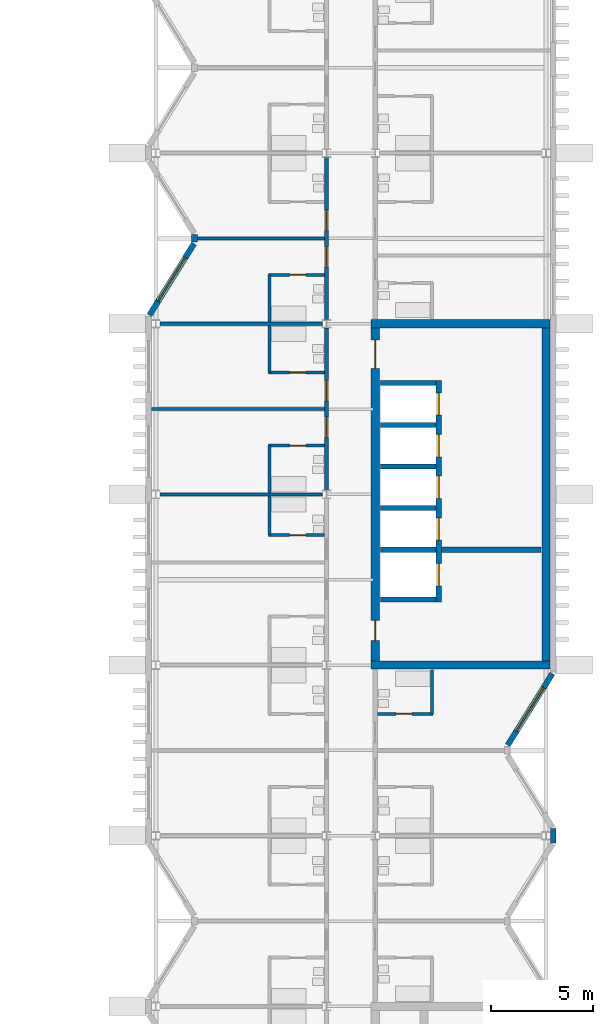
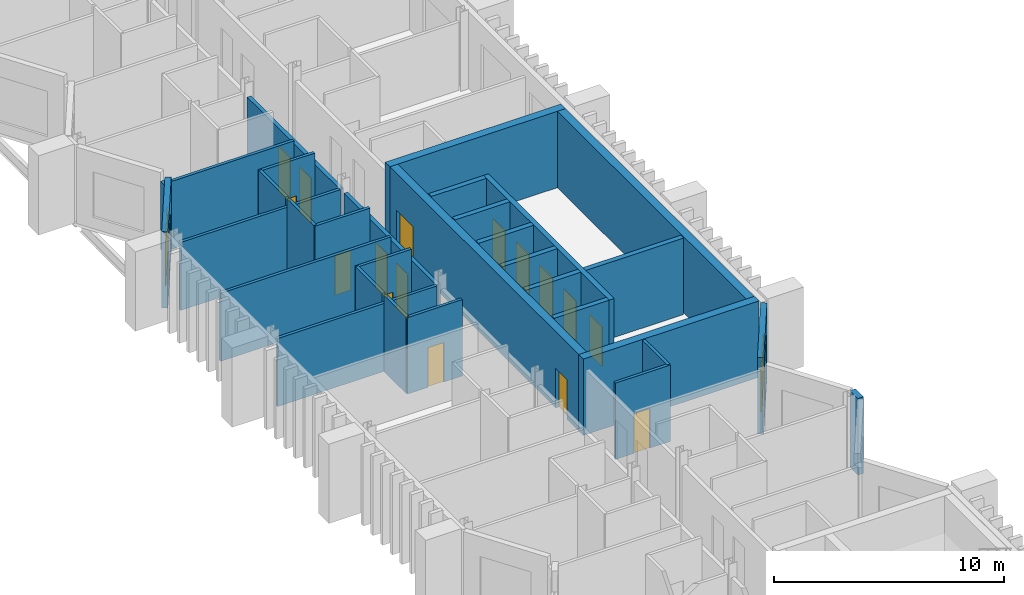
# One storey, part 14 of 20: 32 walls, 16 doors, 2 windows, 18 openings.
"""IFC4 building model written with IfcOpenShell, lengths in metres."""

from ifc_helpers import new_model, si_unit, direction, frame, frame_2d, origin, place, context, subcontext, project, spatial, rectangle, extrude, material, layer, layer_set, type_object, element, fill, save


model = new_model("IFC4")

# Units and contexts
model_context = context("Model", 3, precision=1e-05, world=origin(), true_north=direction((0.0, 1.0)))
body_context = subcontext(model_context, "Body", "Model", "MODEL_VIEW")
ifc_project = project(units=[si_unit("LENGTHUNIT", "METRE"), si_unit("AREAUNIT", "SQUARE_METRE"), si_unit("VOLUMEUNIT", "CUBIC_METRE"), si_unit("PLANEANGLEUNIT", "RADIAN"), si_unit("MASSUNIT", "GRAM", prefix="KILO")], contexts=[model_context])

# Site, building, storey
site_placement = place(None, origin())
site = spatial("IfcSite", under=ifc_project, at=site_placement, CompositionType="ELEMENT")
building_placement = place(site_placement, origin())
building = spatial("IfcBuilding", under=site, at=building_placement, Name="Cresset Court Congress Hotel", CompositionType="ELEMENT")
storey_placement = place(building_placement, frame((0.0, 0.0, 27.0)))
storey = spatial("IfcBuildingStorey", under=building, at=storey_placement, Name="L06", CompositionType="ELEMENT", Elevation=27.0)

# Wall, openings, doors
ifc_material_1 = material(Name="Gypsum board partition")
ifc_layer_1 = layer(ifc_material_1, 0.199951171875)
ifc_layer_set_1 = layer_set([ifc_layer_1], Name="Corridor wall 200")
wall_type_1 = type_object("IfcWallType", Name="Corridor wall 200", PredefinedType="PARTITIONING", material=ifc_layer_set_1)
wall_1_placement = place(storey_placement, frame((165.60009765625, 33.800048828125, 0.0), z_axis=(0.0, 0.0, 1.0), x_axis=(0.0, 1.0, 0.0)))
wall_1 = element("IfcWall", 1, at=wall_1_placement, inside=storey, type_object=wall_type_1, Name="A.wl.L06.074", PredefinedType="PARTITIONING", context=body_context, shape_type="SweptSolid", body=[
    extrude(rectangle(XDim=8.0, YDim=0.199951171875, at=frame_2d((4.0, 0.0))), origin(), (0.0, 0.0, 1.0), 3.449951171875),
])
opening_1_placement = place(wall_1_placement, frame((2.60009765625, 0.0, 0.0)))
opening_1 = element("IfcOpeningElement", 2, at=opening_1_placement, cuts=wall_1, Name="Opening DA-06-18", PredefinedType="OPENING", context=body_context, shape_type="SweptSolid", body=[
    extrude(rectangle(XDim=1.0, YDim=2.39990234375, at=frame_2d((0.5, 1.199951171875))), frame((0.0, 0.10986328125, 0.0), z_axis=(0.0, -1.0, 0.0), x_axis=(1.0, 0.0, 0.0)), (0.0, 0.0, 1.0), 0.219970703125),
])
opening_2_placement = place(wall_1_placement, frame((4.39990234375, 0.0, 0.0)))
opening_2 = element("IfcOpeningElement", 3, at=opening_2_placement, cuts=wall_1, Name="Opening DA-06-20", PredefinedType="OPENING", context=body_context, shape_type="SweptSolid", body=[
    extrude(rectangle(XDim=1.0, YDim=2.39990234375, at=frame_2d((0.5, 1.199951171875))), frame((0.0, 0.10986328125, 0.0), z_axis=(0.0, -1.0, 0.0), x_axis=(1.0, 0.0, 0.0)), (0.0, 0.0, 1.0), 0.219970703125),
])
ifc_material_2 = material(Name="timber", Category="wood")
door_type_1 = type_object("IfcDoorType", Name="Guest-room entry door 1000x2400 FD30S", OperationType="SINGLE_SWING_LEFT", PredefinedType="DOOR", material=ifc_material_2)
door_1_placement = place(opening_1_placement, origin())
door_1 = element("IfcDoor", 4, at=door_1_placement, inside=storey, type_object=door_type_1, Name="Door DA-06-18", OperationType="SINGLE_SWING_RIGHT", OverallHeight=2.39990234375, OverallWidth=1.0, PredefinedType="DOOR", context=body_context, shape_type="SweptSolid", body=[
    extrude(rectangle(XDim=1.0, YDim=2.39990234375, at=frame_2d((0.5, 1.199951171875))), frame((0.0, 0.02490234375, 0.0), z_axis=(0.0, -1.0, 0.0), x_axis=(1.0, 0.0, 0.0)), (0.0, 0.0, 1.0), 0.050048828125),
])
fill(opening_1, door_1)
door_2_placement = place(opening_2_placement, origin())
door_2 = element("IfcDoor", 5, at=door_2_placement, inside=storey, type_object=door_type_1, Name="Door DA-06-20", OperationType="SINGLE_SWING_LEFT", OverallHeight=2.39990234375, OverallWidth=1.0, PredefinedType="DOOR", context=body_context, shape_type="SweptSolid", body=[
    extrude(rectangle(XDim=1.0, YDim=2.39990234375, at=frame_2d((0.5, 1.199951171875))), frame((0.0, 0.02490234375, 0.0), z_axis=(0.0, -1.0, 0.0), x_axis=(1.0, 0.0, 0.0)), (0.0, 0.0, 1.0), 0.050048828125),
])
fill(opening_2, door_2)

wall_2_placement = place(storey_placement, frame((165.60009765625, 42.199951171875, 0.0), z_axis=(0.0, 0.0, 1.0), x_axis=(0.0, 1.0, 0.0)))
wall_2 = element("IfcWall", 6, at=wall_2_placement, inside=storey, type_object=wall_type_1, Name="A.wl.L06.075", PredefinedType="PARTITIONING", context=body_context, shape_type="SweptSolid", body=[
    extrude(rectangle(XDim=8.0, YDim=0.199951171875, at=frame_2d((4.0, 0.0))), origin(), (0.0, 0.0, 1.0), 3.449951171875),
])
opening_3_placement = place(wall_2_placement, frame((2.60009765625, 0.0, 0.0)))
opening_3 = element("IfcOpeningElement", 7, at=opening_3_placement, cuts=wall_2, Name="Opening DA-06-22", PredefinedType="OPENING", context=body_context, shape_type="SweptSolid", body=[
    extrude(rectangle(XDim=1.0, YDim=2.39990234375, at=frame_2d((0.5, 1.199951171875))), frame((0.0, 0.10986328125, 0.0), z_axis=(0.0, -1.0, 0.0), x_axis=(1.0, 0.0, 0.0)), (0.0, 0.0, 1.0), 0.219970703125),
])
opening_4_placement = place(wall_2_placement, frame((4.39990234375, 0.0, 0.0)))
opening_4 = element("IfcOpeningElement", 8, at=opening_4_placement, cuts=wall_2, Name="Opening DA-06-24", PredefinedType="OPENING", context=body_context, shape_type="SweptSolid", body=[
    extrude(rectangle(XDim=1.0, YDim=2.39990234375, at=frame_2d((0.5, 1.199951171875))), frame((0.0, 0.10986328125, 0.0), z_axis=(0.0, -1.0, 0.0), x_axis=(1.0, 0.0, 0.0)), (0.0, 0.0, 1.0), 0.219970703125),
])
door_3_placement = place(opening_3_placement, origin())
door_3 = element("IfcDoor", 9, at=door_3_placement, inside=storey, type_object=door_type_1, Name="Door DA-06-22", OperationType="SINGLE_SWING_RIGHT", OverallHeight=2.39990234375, OverallWidth=1.0, PredefinedType="DOOR", context=body_context, shape_type="SweptSolid", body=[
    extrude(rectangle(XDim=1.0, YDim=2.39990234375, at=frame_2d((0.5, 1.199951171875))), frame((0.0, 0.02490234375, 0.0), z_axis=(0.0, -1.0, 0.0), x_axis=(1.0, 0.0, 0.0)), (0.0, 0.0, 1.0), 0.050048828125),
])
fill(opening_3, door_3)
door_4_placement = place(opening_4_placement, origin())
door_4 = element("IfcDoor", 10, at=door_4_placement, inside=storey, type_object=door_type_1, Name="Door DA-06-24", OperationType="SINGLE_SWING_LEFT", OverallHeight=2.39990234375, OverallWidth=1.0, PredefinedType="DOOR", context=body_context, shape_type="SweptSolid", body=[
    extrude(rectangle(XDim=1.0, YDim=2.39990234375, at=frame_2d((0.5, 1.199951171875))), frame((0.0, 0.02490234375, 0.0), z_axis=(0.0, -1.0, 0.0), x_axis=(1.0, 0.0, 0.0)), (0.0, 0.0, 1.0), 0.050048828125),
])
fill(opening_4, door_4)

# Wall
ifc_material_3 = material(Name="Gypsum board partition")
ifc_layer_2 = layer(ifc_material_3, 0.14990234375)
ifc_layer_set_2 = layer_set([ifc_layer_2], Name="En-suite wall 150")
wall_type_2 = type_object("IfcWallType", Name="En-suite wall 150", PredefinedType="PARTITIONING", material=ifc_layer_set_2)
wall_3_placement = place(storey_placement, frame((162.800048828125, 31.60009765625, 0.0), z_axis=(0.0, 0.0, 1.0), x_axis=(0.0, 1.0, 0.0)))
element("IfcWall", 11, at=wall_3_placement, inside=storey, type_object=wall_type_2, Name="A.wl.L06.015", PredefinedType="PARTITIONING", context=body_context, shape_type="SweptSolid", body=[
    extrude(rectangle(XDim=1.9248046875, YDim=0.14990234375, at=frame_2d((0.96240234375, 0.0))), origin(), (0.0, 0.0, 1.0), 4.050048828125),
])

# Wall, opening, door
wall_4_placement = place(storey_placement, frame((162.75, 31.60009765625, 0.0), z_axis=(0.0, 0.0, 1.0), x_axis=(1.0, 0.0, 0.0)))
wall_4 = element("IfcWall", 12, at=wall_4_placement, inside=storey, type_object=wall_type_2, Name="A.wl.L06.016", PredefinedType="PARTITIONING", context=body_context, shape_type="SweptSolid", body=[
    extrude(rectangle(XDim=2.75, YDim=0.14990234375, at=frame_2d((1.375, 0.0))), origin(), (0.0, 0.0, 1.0), 4.050048828125),
])
opening_5_placement = place(wall_4_placement, frame((1.030029296875, 0.0, 0.0)))
opening_5 = element("IfcOpeningElement", 13, at=opening_5_placement, cuts=wall_4, Name="Opening DA-06-15", PredefinedType="OPENING", context=body_context, shape_type="SweptSolid", body=[
    extrude(rectangle(XDim=0.800048828125, YDim=2.10009765625, at=frame_2d((0.39990234375, 1.050048828125))), frame((0.0, 0.0849609375, 0.0), z_axis=(0.0, -1.0, 0.0), x_axis=(1.0, 0.0, 0.0)), (0.0, 0.0, 1.0), 0.169921875),
])
ifc_material_4 = material(Name="timber", Category="wood")
door_type_2 = type_object("IfcDoorType", Name="En-suite door 800x2100", OperationType="SINGLE_SWING_LEFT", PredefinedType="DOOR", material=ifc_material_4)
door_5_placement = place(opening_5_placement, origin())
door_5 = element("IfcDoor", 14, at=door_5_placement, inside=storey, type_object=door_type_2, Name="Door DA-06-15", OperationType="SINGLE_SWING_LEFT", OverallHeight=2.10009765625, OverallWidth=0.800048828125, PredefinedType="DOOR", context=body_context, shape_type="SweptSolid", body=[
    extrude(rectangle(XDim=0.800048828125, YDim=2.10009765625, at=frame_2d((0.39990234375, 1.050048828125))), frame((0.0, 0.02490234375, 0.0), z_axis=(0.0, -1.0, 0.0), x_axis=(1.0, 0.0, 0.0)), (0.0, 0.0, 1.0), 0.050048828125),
])
fill(opening_5, door_5)

# Wall
wall_5_placement = place(storey_placement, frame((162.800048828125, 33.675048828125, 0.0), z_axis=(0.0, 0.0, 1.0), x_axis=(0.0, 1.0, 0.0)))
element("IfcWall", 15, at=wall_5_placement, inside=storey, type_object=wall_type_2, Name="A.wl.L06.017", PredefinedType="PARTITIONING", context=body_context, shape_type="SweptSolid", body=[
    extrude(rectangle(XDim=2.324951171875, YDim=0.14990234375, at=frame_2d((1.16259765625, 0.0))), origin(), (0.0, 0.0, 1.0), 4.050048828125),
])

# Wall, opening, door
wall_6_placement = place(storey_placement, frame((162.75, 36.0, 0.0), z_axis=(0.0, 0.0, 1.0), x_axis=(1.0, 0.0, 0.0)))
wall_6 = element("IfcWall", 16, at=wall_6_placement, inside=storey, type_object=wall_type_2, Name="A.wl.L06.018", PredefinedType="PARTITIONING", context=body_context, shape_type="SweptSolid", body=[
    extrude(rectangle(XDim=2.75, YDim=0.14990234375, at=frame_2d((1.375, 0.0))), origin(), (0.0, 0.0, 1.0), 4.050048828125),
])
opening_6_placement = place(wall_6_placement, frame((1.030029296875, 0.0, 0.0)))
opening_6 = element("IfcOpeningElement", 17, at=opening_6_placement, cuts=wall_6, Name="Opening DA-06-17", PredefinedType="OPENING", context=body_context, shape_type="SweptSolid", body=[
    extrude(rectangle(XDim=0.800048828125, YDim=2.10009765625, at=frame_2d((0.39990234375, 1.050048828125))), frame((0.0, 0.0849609375, 0.0), z_axis=(0.0, -1.0, 0.0), x_axis=(1.0, 0.0, 0.0)), (0.0, 0.0, 1.0), 0.169921875),
])
door_6_placement = place(opening_6_placement, origin())
door_6 = element("IfcDoor", 18, at=door_6_placement, inside=storey, type_object=door_type_2, Name="Door DA-06-17", OperationType="SINGLE_SWING_RIGHT", OverallHeight=2.10009765625, OverallWidth=0.800048828125, PredefinedType="DOOR", context=body_context, shape_type="SweptSolid", body=[
    extrude(rectangle(XDim=0.800048828125, YDim=2.10009765625, at=frame_2d((0.39990234375, 1.050048828125))), frame((0.0, 0.02490234375, 0.0), z_axis=(0.0, -1.0, 0.0), x_axis=(1.0, 0.0, 0.0)), (0.0, 0.0, 1.0), 0.050048828125),
])
fill(opening_6, door_6)

# Wall
wall_7_placement = place(storey_placement, frame((162.800048828125, 39.60009765625, 0.0), z_axis=(0.0, 0.0, 1.0), x_axis=(0.0, 1.0, 0.0)))
element("IfcWall", 19, at=wall_7_placement, inside=storey, type_object=wall_type_2, Name="A.wl.L06.019", PredefinedType="PARTITIONING", context=body_context, shape_type="SweptSolid", body=[
    extrude(rectangle(XDim=2.324951171875, YDim=0.14990234375, at=frame_2d((1.16259765625, 0.0))), origin(), (0.0, 0.0, 1.0), 4.050048828125),
])

# Wall, opening, door
wall_8_placement = place(storey_placement, frame((162.75, 39.60009765625, 0.0), z_axis=(0.0, 0.0, 1.0), x_axis=(1.0, 0.0, 0.0)))
wall_8 = element("IfcWall", 20, at=wall_8_placement, inside=storey, type_object=wall_type_2, Name="A.wl.L06.020", PredefinedType="PARTITIONING", context=body_context, shape_type="SweptSolid", body=[
    extrude(rectangle(XDim=2.75, YDim=0.14990234375, at=frame_2d((1.375, 0.0))), origin(), (0.0, 0.0, 1.0), 4.050048828125),
])
opening_7_placement = place(wall_8_placement, frame((1.030029296875, 0.0, 0.0)))
opening_7 = element("IfcOpeningElement", 21, at=opening_7_placement, cuts=wall_8, Name="Opening DA-06-19", PredefinedType="OPENING", context=body_context, shape_type="SweptSolid", body=[
    extrude(rectangle(XDim=0.800048828125, YDim=2.10009765625, at=frame_2d((0.39990234375, 1.050048828125))), frame((0.0, 0.0849609375, 0.0), z_axis=(0.0, -1.0, 0.0), x_axis=(1.0, 0.0, 0.0)), (0.0, 0.0, 1.0), 0.169921875),
])
door_7_placement = place(opening_7_placement, origin())
door_7 = element("IfcDoor", 22, at=door_7_placement, inside=storey, type_object=door_type_2, Name="Door DA-06-19", OperationType="SINGLE_SWING_LEFT", OverallHeight=2.10009765625, OverallWidth=0.800048828125, PredefinedType="DOOR", context=body_context, shape_type="SweptSolid", body=[
    extrude(rectangle(XDim=0.800048828125, YDim=2.10009765625, at=frame_2d((0.39990234375, 1.050048828125))), frame((0.0, 0.02490234375, 0.0), z_axis=(0.0, -1.0, 0.0), x_axis=(1.0, 0.0, 0.0)), (0.0, 0.0, 1.0), 0.050048828125),
])
fill(opening_7, door_7)

# Wall
wall_9_placement = place(storey_placement, frame((162.800048828125, 42.074951171875, 0.0), z_axis=(0.0, 0.0, 1.0), x_axis=(0.0, 1.0, 0.0)))
element("IfcWall", 23, at=wall_9_placement, inside=storey, type_object=wall_type_2, Name="A.wl.L06.021", PredefinedType="PARTITIONING", context=body_context, shape_type="SweptSolid", body=[
    extrude(rectangle(XDim=2.324951171875, YDim=0.14990234375, at=frame_2d((1.16259765625, 0.0))), origin(), (0.0, 0.0, 1.0), 4.050048828125),
])

# Wall, opening, door
wall_10_placement = place(storey_placement, frame((162.75, 44.39990234375, 0.0), z_axis=(0.0, 0.0, 1.0), x_axis=(1.0, 0.0, 0.0)))
wall_10 = element("IfcWall", 24, at=wall_10_placement, inside=storey, type_object=wall_type_2, Name="A.wl.L06.022", PredefinedType="PARTITIONING", context=body_context, shape_type="SweptSolid", body=[
    extrude(rectangle(XDim=2.75, YDim=0.14990234375, at=frame_2d((1.375, 0.0))), origin(), (0.0, 0.0, 1.0), 4.050048828125),
])
opening_8_placement = place(wall_10_placement, frame((1.030029296875, 0.0, 0.0)))
opening_8 = element("IfcOpeningElement", 25, at=opening_8_placement, cuts=wall_10, Name="Opening DA-06-21", PredefinedType="OPENING", context=body_context, shape_type="SweptSolid", body=[
    extrude(rectangle(XDim=0.800048828125, YDim=2.10009765625, at=frame_2d((0.39990234375, 1.050048828125))), frame((0.0, 0.0849609375, 0.0), z_axis=(0.0, -1.0, 0.0), x_axis=(1.0, 0.0, 0.0)), (0.0, 0.0, 1.0), 0.169921875),
])
door_8_placement = place(opening_8_placement, origin())
door_8 = element("IfcDoor", 26, at=door_8_placement, inside=storey, type_object=door_type_2, Name="Door DA-06-21", OperationType="SINGLE_SWING_RIGHT", OverallHeight=2.10009765625, OverallWidth=0.800048828125, PredefinedType="DOOR", context=body_context, shape_type="SweptSolid", body=[
    extrude(rectangle(XDim=0.800048828125, YDim=2.10009765625, at=frame_2d((0.39990234375, 1.050048828125))), frame((0.0, 0.02490234375, 0.0), z_axis=(0.0, -1.0, 0.0), x_axis=(1.0, 0.0, 0.0)), (0.0, 0.0, 1.0), 0.050048828125),
])
fill(opening_8, door_8)

# Wall
wall_11_placement = place(storey_placement, frame((170.800048828125, 22.800048828125, 0.0), z_axis=(0.0, 0.0, 1.0), x_axis=(0.0, 1.0, 0.0)))
element("IfcWall", 27, at=wall_11_placement, inside=storey, type_object=wall_type_2, Name="A.wl.L06.039", PredefinedType="PARTITIONING", context=body_context, shape_type="SweptSolid", body=[
    extrude(rectangle(XDim=2.14990234375, YDim=0.14990234375, at=frame_2d((1.074951171875, 0.0))), origin(), (0.0, 0.0, 1.0), 4.050048828125),
])

# Wall, opening, door
wall_12_placement = place(storey_placement, frame((170.85009765625, 22.800048828125, 0.0), z_axis=(0.0, 0.0, 1.0), x_axis=(-1.0, 0.0, 0.0)))
wall_12 = element("IfcWall", 28, at=wall_12_placement, inside=storey, type_object=wall_type_2, Name="A.wl.L06.040", PredefinedType="PARTITIONING", context=body_context, shape_type="SweptSolid", body=[
    extrude(rectangle(XDim=2.75, YDim=0.14990234375, at=frame_2d((1.375, 0.0))), origin(), (0.0, 0.0, 1.0), 4.050048828125),
])
opening_9_placement = place(wall_12_placement, frame((1.030029296875, 0.0, 0.0)))
opening_9 = element("IfcOpeningElement", 29, at=opening_9_placement, cuts=wall_12, Name="Opening DA-06-39", PredefinedType="OPENING", context=body_context, shape_type="SweptSolid", body=[
    extrude(rectangle(XDim=0.800048828125, YDim=2.10009765625, at=frame_2d((0.39990234375, 1.050048828125))), frame((0.0, 0.0849609375, 0.0), z_axis=(0.0, -1.0, 0.0), x_axis=(1.0, 0.0, 0.0)), (0.0, 0.0, 1.0), 0.169921875),
])
door_9_placement = place(opening_9_placement, origin())
door_9 = element("IfcDoor", 30, at=door_9_placement, inside=storey, type_object=door_type_2, Name="Door DA-06-39", OperationType="SINGLE_SWING_LEFT", OverallHeight=2.10009765625, OverallWidth=0.800048828125, PredefinedType="DOOR", context=body_context, shape_type="SweptSolid", body=[
    extrude(rectangle(XDim=0.800048828125, YDim=2.10009765625, at=frame_2d((0.39990234375, 1.050048828125))), frame((0.0, 0.02490234375, 0.0), z_axis=(0.0, -1.0, 0.0), x_axis=(1.0, 0.0, 0.0)), (0.0, 0.0, 1.0), 0.050048828125),
])
fill(opening_9, door_9)

# Wall, opening, window
ifc_material_5 = material(Name="Precast concrete C50", Category="concrete")
ifc_layer_3 = layer(ifc_material_5, 0.280029296875)
ifc_layer_set_3 = layer_set([ifc_layer_3], Name="External wall 280")
wall_type_3 = type_object("IfcWallType", Name="External wall 280", PredefinedType="SOLIDWALL", material=ifc_layer_set_3)
wall_13_placement = place(storey_placement, frame((156.88623046875, 42.424072265625, 0.0), z_axis=(0.0, 0.0, 1.0), x_axis=(0.529018946142, 0.848610013271, 0.0)))
wall_13 = element("IfcWall", 31, at=wall_13_placement, inside=storey, type_object=wall_type_3, Name="A.ew.L06.Wn.5.0", PredefinedType="SOLIDWALL", context=body_context, shape_type="SweptSolid", body=[
    extrude(rectangle(XDim=4.144287109375, YDim=0.280029296875, at=frame_2d((2.072265625, 0.0))), origin(), (0.0, 0.0, 1.0), 4.050048828125),
])
opening_10_placement = place(wall_13_placement, frame((0.812255859375, 0.0, 0.60009765625)))
opening_10 = element("IfcOpeningElement", 32, at=opening_10_placement, cuts=wall_13, Name="Opening NA-06-11", PredefinedType="OPENING", context=body_context, shape_type="SweptSolid", body=[
    extrude(rectangle(XDim=2.52001953125, YDim=2.39990234375, at=frame_2d((1.260009765625, 1.199951171875))), frame((0.0, 0.14990234375, 0.0), z_axis=(0.0, -1.0, 0.0), x_axis=(1.0, 0.0, 0.0)), (0.0, 0.0, 1.0), 0.300048828125),
])
ifc_material_6 = material(Name="Aluminium and glass", Category="aluminium")
window_type = type_object("IfcWindowType", Name="Window 2520x2400", PartitioningType="SINGLE_PANEL", PredefinedType="WINDOW", material=ifc_material_6)
window_1_placement = place(opening_10_placement, origin())
window_1 = element("IfcWindow", 33, at=window_1_placement, inside=storey, type_object=window_type, Name="Window NA-06-11", OverallHeight=2.39990234375, OverallWidth=2.52001953125, PartitioningType="SINGLE_PANEL", PredefinedType="WINDOW", context=body_context, shape_type="SweptSolid", body=[
    extrude(rectangle(XDim=2.52001953125, YDim=2.39990234375, at=frame_2d((1.260009765625, 1.199951171875))), frame((0.0, 0.030029296875, 0.0), z_axis=(0.0, -1.0, 0.0), x_axis=(1.0, 0.0, 0.0)), (0.0, 0.0, 1.0), 0.06005859375),
])
fill(opening_10, window_1)

# Walls
wall_14_placement = place(storey_placement, frame((159.099609375, 46.01513671875, 0.0), z_axis=(0.0, 0.0, 1.0), x_axis=(0.0, 1.0, 0.0)))
element("IfcWall", 34, at=wall_14_placement, inside=storey, type_object=wall_type_3, Name="A.ew.L06.Wn.5.2", PredefinedType="SOLIDWALL", context=body_context, shape_type="SweptSolid", body=[
    extrude(rectangle(XDim=0.369873046875, YDim=0.280029296875, at=frame_2d((0.18505859375, 0.0))), origin(), (0.0, 0.0, 1.0), 3.60400390625),
])
wall_15_placement = place(storey_placement, frame((176.760009765625, 16.449951171875, 0.0), z_axis=(0.0, 0.0, 1.0), x_axis=(0.0, 1.0, 0.0)))
element("IfcWall", 35, at=wall_15_placement, inside=storey, type_object=wall_type_3, Name="A.ew.L06.E.2", PredefinedType="SOLIDWALL", context=body_context, shape_type="SweptSolid", body=[
    extrude(rectangle(XDim=0.699951171875, YDim=0.280029296875, at=frame_2d((0.35009765625, 0.0))), origin(), (0.0, 0.0, 1.0), 4.050048828125),
])

# Wall, opening, window
wall_16_placement = place(storey_placement, frame((174.521484375, 21.259033203125, 0.0), z_axis=(0.0, 0.0, 1.0), x_axis=(0.529018946142, 0.848610013271, 0.0)))
wall_16 = element("IfcWall", 36, at=wall_16_placement, inside=storey, type_object=wall_type_3, Name="A.ew.L06.En.2.1", PredefinedType="SOLIDWALL", context=body_context, shape_type="SweptSolid", body=[
    extrude(rectangle(XDim=4.144287109375, YDim=0.280029296875, at=frame_2d((2.072265625, 0.0))), origin(), (0.0, 0.0, 1.0), 4.050048828125),
])
opening_11_placement = place(wall_16_placement, frame((0.81201171875, 0.0, 0.60009765625)))
opening_11 = element("IfcOpeningElement", 37, at=opening_11_placement, cuts=wall_16, Name="Opening NA-06-20", PredefinedType="OPENING", context=body_context, shape_type="SweptSolid", body=[
    extrude(rectangle(XDim=2.52001953125, YDim=2.39990234375, at=frame_2d((1.260009765625, 1.199951171875))), frame((0.0, 0.14990234375, 0.0), z_axis=(0.0, -1.0, 0.0), x_axis=(1.0, 0.0, 0.0)), (0.0, 0.0, 1.0), 0.300048828125),
])
window_2_placement = place(opening_11_placement, origin())
window_2 = element("IfcWindow", 38, at=window_2_placement, inside=storey, type_object=window_type, Name="Window NA-06-20", OverallHeight=2.39990234375, OverallWidth=2.52001953125, PartitioningType="SINGLE_PANEL", PredefinedType="WINDOW", context=body_context, shape_type="SweptSolid", body=[
    extrude(rectangle(XDim=2.52001953125, YDim=2.39990234375, at=frame_2d((1.260009765625, 1.199951171875))), frame((0.0, 0.030029296875, 0.0), z_axis=(0.0, -1.0, 0.0), x_axis=(1.0, 0.0, 0.0)), (0.0, 0.0, 1.0), 0.06005859375),
])
fill(opening_11, window_2)

# Walls
ifc_material_7 = material(Name="Gypsum board partition")
ifc_layer_4 = layer(ifc_material_7, 0.14990234375)
ifc_layer_set_4 = layer_set([ifc_layer_4], Name="Guest-room partition 150")
wall_type_4 = type_object("IfcWallType", Name="Guest-room partition 150", PredefinedType="PARTITIONING", material=ifc_layer_set_4)
for number, where, z_axis, x_axis, name in (
    (39, (157.39990234375, 33.60009765625, 0.0), (0.0, 0.0, 1.0), (1.0, 0.0, 0.0), "A.wl.L06.052"),
    (40, (157.39990234375, 42.0, 0.0), (0.0, 0.0, 1.0), (1.0, 0.0, 0.0), "A.wl.L06.053"),
):
    element("IfcWall", number, at=place(storey_placement, frame(where, z_axis=z_axis, x_axis=x_axis)), inside=storey, type_object=wall_type_4, Name=name, PredefinedType="PARTITIONING", context=body_context, shape_type="SweptSolid", body=[
        extrude(rectangle(XDim=8.0, YDim=0.14990234375, at=frame_2d((4.0, 0.0))), origin(), (0.0, 0.0, 1.0), 3.60400390625),
    ])
wall_17_placement = place(storey_placement, frame((156.97998046875, 37.800048828125, 0.0), z_axis=(0.0, 0.0, 1.0), x_axis=(1.0, 0.0, 0.0)))
element("IfcWall", 41, at=wall_17_placement, inside=storey, type_object=wall_type_4, Name="A.wl.L06.062", PredefinedType="PARTITIONING", context=body_context, shape_type="SweptSolid", body=[
    extrude(rectangle(XDim=8.52001953125, YDim=0.14990234375, at=frame_2d((4.260009765625, 0.0))), origin(), (0.0, 0.0, 1.0), 3.60400390625),
])
wall_18_placement = place(storey_placement, frame((159.23974609375, 46.199951171875, 0.0), z_axis=(0.0, 0.0, 1.0), x_axis=(1.0, 0.0, 0.0)))
element("IfcWall", 42, at=wall_18_placement, inside=storey, type_object=wall_type_4, Name="A.wl.L06.063", PredefinedType="PARTITIONING", context=body_context, shape_type="SweptSolid", body=[
    extrude(rectangle(XDim=6.26025390625, YDim=0.14990234375, at=frame_2d((3.130126953125, 0.0))), origin(), (0.0, 0.0, 1.0), 3.60400390625),
])
ifc_material_8 = material(Name="Concrete C50", Category="concrete")
ifc_layer_5 = layer(ifc_material_8, 0.39990234375)
ifc_layer_set_5 = layer_set([ifc_layer_5], Name="Lift core wall 400")
wall_type_5 = type_object("IfcWallType", Name="Lift core wall 400", PredefinedType="SOLIDWALL", material=ifc_layer_set_5)
for number, where, z_axis, x_axis, name in (
    (43, (167.800048828125, 25.199951171875, 0.0), (0.0, 0.0, 1.0), (1.0, 0.0, 0.0), "A.cw.LC-A.L06.S"),
    (44, (167.800048828125, 42.0, 0.0), (0.0, 0.0, 1.0), (1.0, 0.0, 0.0), "A.cw.LC-A.L06.N"),
):
    element("IfcWall", number, at=place(storey_placement, frame(where, z_axis=z_axis, x_axis=x_axis)), inside=storey, type_object=wall_type_5, Name=name, PredefinedType="SOLIDWALL", context=body_context, shape_type="SweptSolid", body=[
        extrude(rectangle(XDim=8.800048828125, YDim=0.39990234375, at=frame_2d((4.39990234375, 0.0))), origin(), (0.0, 0.0, 1.0), 4.050048828125),
    ])

# Wall, openings, doors
wall_19_placement = place(storey_placement, frame((168.0, 25.39990234375, 0.0), z_axis=(0.0, 0.0, 1.0), x_axis=(0.0, 1.0, 0.0)))
wall_19 = element("IfcWall", 45, at=wall_19_placement, inside=storey, type_object=wall_type_5, Name="A.cw.LC-A.L06.W", PredefinedType="SOLIDWALL", context=body_context, shape_type="SweptSolid", body=[
    extrude(rectangle(XDim=16.400146484375, YDim=0.39990234375, at=frame_2d((8.2001953125, 0.0))), origin(), (0.0, 0.0, 1.0), 4.050048828125),
])
opening_12_placement = place(wall_19_placement, frame((1.0, 0.0, 0.0)))
opening_12 = element("IfcOpeningElement", 46, at=opening_12_placement, cuts=wall_19, Name="Opening DA-06-60", PredefinedType="OPENING", context=body_context, shape_type="SweptSolid", body=[
    extrude(rectangle(XDim=1.0, YDim=2.10009765625, at=frame_2d((0.5, 1.050048828125))), frame((0.0, 0.2099609375, 0.0), z_axis=(0.0, -1.0, 0.0), x_axis=(1.0, 0.0, 0.0)), (0.0, 0.0, 1.0), 0.419921875),
])
opening_13_placement = place(wall_19_placement, frame((14.39990234375, 0.0, 0.0)))
opening_13 = element("IfcOpeningElement", 47, at=opening_13_placement, cuts=wall_19, Name="Opening DA-06-61", PredefinedType="OPENING", context=body_context, shape_type="SweptSolid", body=[
    extrude(rectangle(XDim=1.39990234375, YDim=2.10009765625, at=frame_2d((0.699951171875, 1.050048828125))), frame((0.0, 0.2099609375, 0.0), z_axis=(0.0, -1.0, 0.0), x_axis=(1.0, 0.0, 0.0)), (0.0, 0.0, 1.0), 0.419921875),
])
ifc_material_9 = material(Name="steel", Category="steel")
door_type_3 = type_object("IfcDoorType", Name="Lobby door 1000x2100 FD60", OperationType="SINGLE_SWING_LEFT", PredefinedType="DOOR", material=ifc_material_9)
door_10_placement = place(opening_12_placement, origin())
door_10 = element("IfcDoor", 48, at=door_10_placement, inside=storey, type_object=door_type_3, Name="Door DA-06-60", OperationType="SINGLE_SWING_RIGHT", OverallHeight=2.10009765625, OverallWidth=1.0, PredefinedType="DOOR", context=body_context, shape_type="SweptSolid", body=[
    extrude(rectangle(XDim=1.0, YDim=2.10009765625, at=frame_2d((0.5, 1.050048828125))), frame((0.0, 0.02490234375, 0.0), z_axis=(0.0, -1.0, 0.0), x_axis=(1.0, 0.0, 0.0)), (0.0, 0.0, 1.0), 0.050048828125),
])
fill(opening_12, door_10)
ifc_material_10 = material(Name="steel", Category="steel")
door_type_4 = type_object("IfcDoorType", Name="Lobby door 1400x2100 FD60", OperationType="DOUBLE_DOOR_DOUBLE_SWING", PredefinedType="DOOR", material=ifc_material_10)
door_11_placement = place(opening_13_placement, origin())
door_11 = element("IfcDoor", 49, at=door_11_placement, inside=storey, type_object=door_type_4, Name="Door DA-06-61", OperationType="DOUBLE_DOOR_DOUBLE_SWING", OverallHeight=2.10009765625, OverallWidth=1.39990234375, PredefinedType="DOOR", context=body_context, shape_type="SweptSolid", body=[
    extrude(rectangle(XDim=1.39990234375, YDim=2.10009765625, at=frame_2d((0.699951171875, 1.050048828125))), frame((0.0, 0.02490234375, 0.0), z_axis=(0.0, -1.0, 0.0), x_axis=(1.0, 0.0, 0.0)), (0.0, 0.0, 1.0), 0.050048828125),
])
fill(opening_13, door_11)

# Wall
wall_20_placement = place(storey_placement, frame((176.39990234375, 25.39990234375, 0.0), z_axis=(0.0, 0.0, 1.0), x_axis=(0.0, 1.0, 0.0)))
element("IfcWall", 50, at=wall_20_placement, inside=storey, type_object=wall_type_5, Name="A.cw.LC-A.L06.E", PredefinedType="SOLIDWALL", context=body_context, shape_type="SweptSolid", body=[
    extrude(rectangle(XDim=16.400146484375, YDim=0.39990234375, at=frame_2d((8.2001953125, 0.0))), origin(), (0.0, 0.0, 1.0), 4.050048828125),
])

# Wall, openings, doors
ifc_material_11 = material(Name="Concrete C50", Category="concrete")
ifc_layer_6 = layer(ifc_material_11, 0.25)
ifc_layer_set_6 = layer_set([ifc_layer_6], Name="Lift shaft wall 250")
wall_type_6 = type_object("IfcWallType", Name="Lift shaft wall 250", PredefinedType="SOLIDWALL", material=ifc_layer_set_6)
wall_21_placement = place(storey_placement, frame((171.125, 28.300048828125, 0.0), z_axis=(0.0, 0.0, 1.0), x_axis=(0.0, 1.0, 0.0)))
wall_21 = element("IfcWall", 51, at=wall_21_placement, inside=storey, type_object=wall_type_6, Name="A.wl.L06.086", PredefinedType="SOLIDWALL", context=body_context, shape_type="SweptSolid", body=[
    extrude(rectangle(XDim=10.89990234375, YDim=0.25, at=frame_2d((5.449951171875, 0.0))), origin(), (0.0, 0.0, 1.0), 4.050048828125),
])
opening_14_placement = place(wall_21_placement, frame((0.800048828125, 0.0, 0.0)))
opening_14 = element("IfcOpeningElement", 52, at=opening_14_placement, cuts=wall_21, Name="Opening LD-A1-06", PredefinedType="OPENING", context=body_context, shape_type="SweptSolid", body=[
    extrude(rectangle(XDim=1.10009765625, YDim=2.10009765625, at=frame_2d((0.550048828125, 1.050048828125))), frame((0.0, 0.135009765625, 0.0), z_axis=(0.0, -1.0, 0.0), x_axis=(1.0, 0.0, 0.0)), (0.0, 0.0, 1.0), 0.27001953125),
])
opening_15_placement = place(wall_21_placement, frame((3.050048828125, 0.0, 0.0)))
opening_15 = element("IfcOpeningElement", 53, at=opening_15_placement, cuts=wall_21, Name="Opening LD-A2-06", PredefinedType="OPENING", context=body_context, shape_type="SweptSolid", body=[
    extrude(rectangle(XDim=1.10009765625, YDim=2.10009765625, at=frame_2d((0.550048828125, 1.050048828125))), frame((0.0, 0.135009765625, 0.0), z_axis=(0.0, -1.0, 0.0), x_axis=(1.0, 0.0, 0.0)), (0.0, 0.0, 1.0), 0.27001953125),
])
opening_16_placement = place(wall_21_placement, frame((5.10009765625, 0.0, 0.0)))
opening_16 = element("IfcOpeningElement", 54, at=opening_16_placement, cuts=wall_21, Name="Opening LD-A3-06", PredefinedType="OPENING", context=body_context, shape_type="SweptSolid", body=[
    extrude(rectangle(XDim=1.10009765625, YDim=2.10009765625, at=frame_2d((0.550048828125, 1.050048828125))), frame((0.0, 0.135009765625, 0.0), z_axis=(0.0, -1.0, 0.0), x_axis=(1.0, 0.0, 0.0)), (0.0, 0.0, 1.0), 0.27001953125),
])
opening_17_placement = place(wall_21_placement, frame((7.14990234375, 0.0, 0.0)))
opening_17 = element("IfcOpeningElement", 55, at=opening_17_placement, cuts=wall_21, Name="Opening LD-A4-06", PredefinedType="OPENING", context=body_context, shape_type="SweptSolid", body=[
    extrude(rectangle(XDim=1.10009765625, YDim=2.10009765625, at=frame_2d((0.550048828125, 1.050048828125))), frame((0.0, 0.135009765625, 0.0), z_axis=(0.0, -1.0, 0.0), x_axis=(1.0, 0.0, 0.0)), (0.0, 0.0, 1.0), 0.27001953125),
])
opening_18_placement = place(wall_21_placement, frame((9.199951171875, 0.0, 0.0)))
opening_18 = element("IfcOpeningElement", 56, at=opening_18_placement, cuts=wall_21, Name="Opening LD-A5-06", PredefinedType="OPENING", context=body_context, shape_type="SweptSolid", body=[
    extrude(rectangle(XDim=1.10009765625, YDim=2.10009765625, at=frame_2d((0.550048828125, 1.050048828125))), frame((0.0, 0.135009765625, 0.0), z_axis=(0.0, -1.0, 0.0), x_axis=(1.0, 0.0, 0.0)), (0.0, 0.0, 1.0), 0.27001953125),
])
ifc_material_12 = material(Name="stainless steel", Category="steel")
door_type_5 = type_object("IfcDoorType", Name="Lift landing door 1100x2100 E 60", OperationType="SLIDING_TO_LEFT", PredefinedType="DOOR", material=ifc_material_12)
door_12_placement = place(opening_14_placement, origin())
door_12 = element("IfcDoor", 57, at=door_12_placement, inside=storey, type_object=door_type_5, Name="Lift landing door LD-A1-06", OperationType="SLIDING_TO_LEFT", OverallHeight=2.10009765625, OverallWidth=1.10009765625, PredefinedType="DOOR", context=body_context, shape_type="SweptSolid", body=[
    extrude(rectangle(XDim=1.10009765625, YDim=2.10009765625, at=frame_2d((0.550048828125, 1.050048828125))), frame((0.0, 0.02490234375, 0.0), z_axis=(0.0, -1.0, 0.0), x_axis=(1.0, 0.0, 0.0)), (0.0, 0.0, 1.0), 0.050048828125),
])
fill(opening_14, door_12)
door_13_placement = place(opening_15_placement, origin())
door_13 = element("IfcDoor", 58, at=door_13_placement, inside=storey, type_object=door_type_5, Name="Lift landing door LD-A2-06", OperationType="SLIDING_TO_LEFT", OverallHeight=2.10009765625, OverallWidth=1.10009765625, PredefinedType="DOOR", context=body_context, shape_type="SweptSolid", body=[
    extrude(rectangle(XDim=1.10009765625, YDim=2.10009765625, at=frame_2d((0.550048828125, 1.050048828125))), frame((0.0, 0.02490234375, 0.0), z_axis=(0.0, -1.0, 0.0), x_axis=(1.0, 0.0, 0.0)), (0.0, 0.0, 1.0), 0.050048828125),
])
fill(opening_15, door_13)
door_14_placement = place(opening_16_placement, origin())
door_14 = element("IfcDoor", 59, at=door_14_placement, inside=storey, type_object=door_type_5, Name="Lift landing door LD-A3-06", OperationType="SLIDING_TO_LEFT", OverallHeight=2.10009765625, OverallWidth=1.10009765625, PredefinedType="DOOR", context=body_context, shape_type="SweptSolid", body=[
    extrude(rectangle(XDim=1.10009765625, YDim=2.10009765625, at=frame_2d((0.550048828125, 1.050048828125))), frame((0.0, 0.02490234375, 0.0), z_axis=(0.0, -1.0, 0.0), x_axis=(1.0, 0.0, 0.0)), (0.0, 0.0, 1.0), 0.050048828125),
])
fill(opening_16, door_14)
door_15_placement = place(opening_17_placement, origin())
door_15 = element("IfcDoor", 60, at=door_15_placement, inside=storey, type_object=door_type_5, Name="Lift landing door LD-A4-06", OperationType="SLIDING_TO_LEFT", OverallHeight=2.10009765625, OverallWidth=1.10009765625, PredefinedType="DOOR", context=body_context, shape_type="SweptSolid", body=[
    extrude(rectangle(XDim=1.10009765625, YDim=2.10009765625, at=frame_2d((0.550048828125, 1.050048828125))), frame((0.0, 0.02490234375, 0.0), z_axis=(0.0, -1.0, 0.0), x_axis=(1.0, 0.0, 0.0)), (0.0, 0.0, 1.0), 0.050048828125),
])
fill(opening_17, door_15)
door_16_placement = place(opening_18_placement, origin())
door_16 = element("IfcDoor", 61, at=door_16_placement, inside=storey, type_object=door_type_5, Name="Lift landing door LD-A5-06", OperationType="SLIDING_TO_LEFT", OverallHeight=2.10009765625, OverallWidth=1.10009765625, PredefinedType="DOOR", context=body_context, shape_type="SweptSolid", body=[
    extrude(rectangle(XDim=1.10009765625, YDim=2.10009765625, at=frame_2d((0.550048828125, 1.050048828125))), frame((0.0, 0.02490234375, 0.0), z_axis=(0.0, -1.0, 0.0), x_axis=(1.0, 0.0, 0.0)), (0.0, 0.0, 1.0), 0.050048828125),
])
fill(opening_18, door_16)

# Walls
for number, where, z_axis, x_axis, name in (
    (62, (168.25, 28.425048828125, 0.0), (0.0, 0.0, 1.0), (1.0, 0.0, 0.0), "A.wl.L06.087"),
    (63, (168.25, 30.875, 0.0), (0.0, 0.0, 1.0), (1.0, 0.0, 0.0), "A.wl.L06.088"),
    (64, (168.25, 32.925048828125, 0.0), (0.0, 0.0, 1.0), (1.0, 0.0, 0.0), "A.wl.L06.089"),
    (65, (168.25, 34.97509765625, 0.0), (0.0, 0.0, 1.0), (1.0, 0.0, 0.0), "A.wl.L06.090"),
    (66, (168.25, 37.02490234375, 0.0), (0.0, 0.0, 1.0), (1.0, 0.0, 0.0), "A.wl.L06.091"),
    (67, (168.25, 39.074951171875, 0.0), (0.0, 0.0, 1.0), (1.0, 0.0, 0.0), "A.wl.L06.092"),
):
    element("IfcWall", number, at=place(storey_placement, frame(where, z_axis=z_axis, x_axis=x_axis)), inside=storey, type_object=wall_type_6, Name=name, PredefinedType="SOLIDWALL", context=body_context, shape_type="SweptSolid", body=[
        extrude(rectangle(XDim=2.75, YDim=0.25, at=frame_2d((1.375, 0.0))), origin(), (0.0, 0.0, 1.0), 4.050048828125),
    ])
wall_22_placement = place(storey_placement, frame((171.25, 30.875, 0.0), z_axis=(0.0, 0.0, 1.0), x_axis=(1.0, 0.0, 0.0)))
element("IfcWall", 68, at=wall_22_placement, inside=storey, type_object=wall_type_6, Name="A.wl.L06.093", PredefinedType="SOLIDWALL", context=body_context, shape_type="SweptSolid", body=[
    extrude(rectangle(XDim=4.89990234375, YDim=0.25, at=frame_2d((2.449951171875, 0.0))), origin(), (0.0, 0.0, 1.0), 4.050048828125),
])

save(model, "model.ifc")
